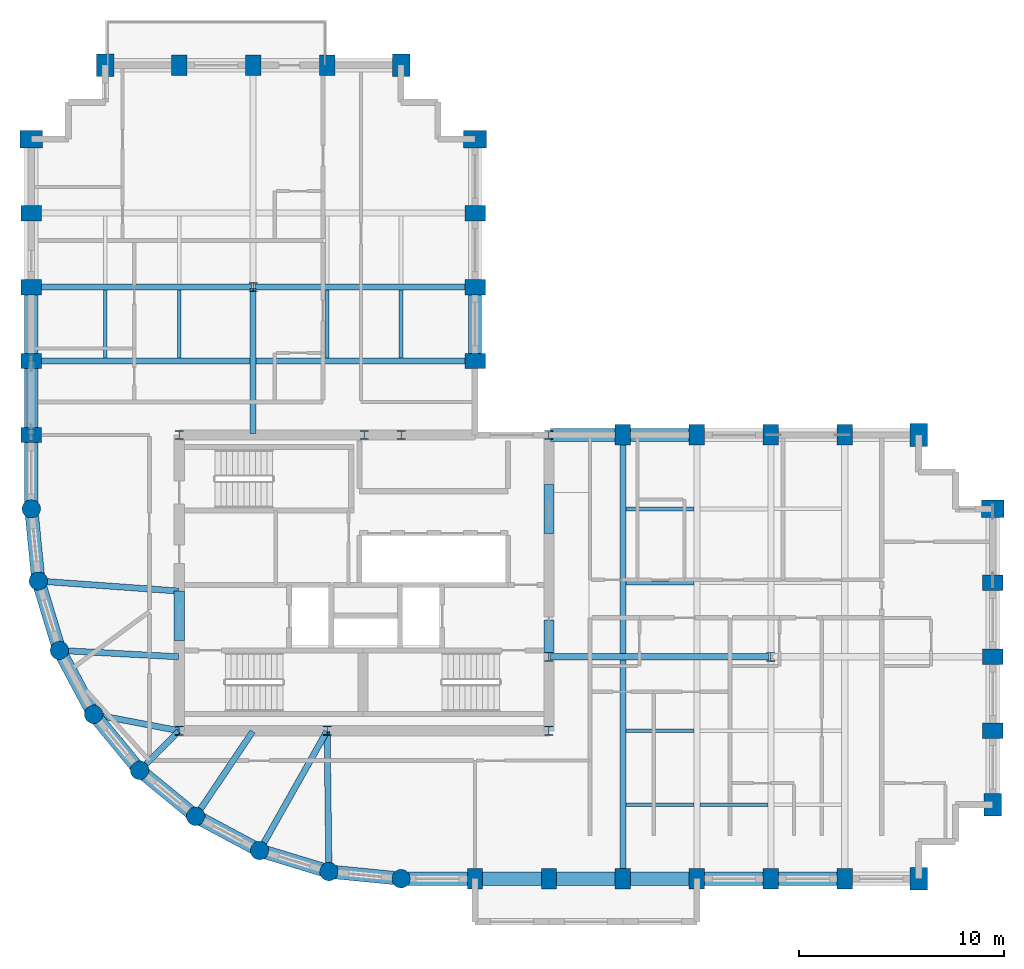
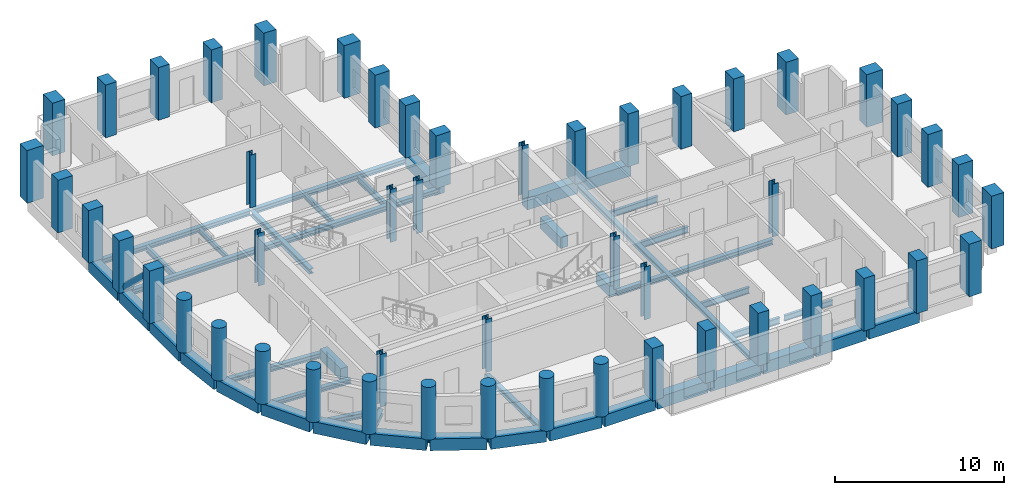
# One storey, part 1 of 9: 50 columns, 45 beams, 1 member.
"""IFC4 building model written with IfcOpenShell, lengths in metres."""

from ifc_helpers import new_model, si_unit, direction, frame, origin, origin_2d, place, context, subcontext, project, spatial, rectangle, circle, hollow_circle, i_section, extrude, material, material_profile, profile_set, type_object, element, save


model = new_model("IFC4")

# Units and contexts
model_context = context("Model", 3, precision=1e-05, world=origin(), true_north=direction((0.0, 1.0)))
body_context = subcontext(model_context, "Body", "Model", "MODEL_VIEW")
ifc_project = project(units=[si_unit("LENGTHUNIT", "METRE"), si_unit("AREAUNIT", "SQUARE_METRE"), si_unit("VOLUMEUNIT", "CUBIC_METRE"), si_unit("PLANEANGLEUNIT", "RADIAN"), si_unit("MASSUNIT", "GRAM", prefix="KILO")], contexts=[model_context])

# Site, building, storey
site_placement = place(None, origin())
site = spatial("IfcSite", under=ifc_project, at=site_placement, CompositionType="ELEMENT")
building_placement = place(site_placement, origin())
building = spatial("IfcBuilding", under=site, at=building_placement, Name="Solnavia Interchange Tower", CompositionType="ELEMENT")
storey_placement = place(building_placement, frame((0.0, 0.0, 131.39990234375)))
storey = spatial("IfcBuildingStorey", under=building, at=storey_placement, Name="L32", CompositionType="ELEMENT", Elevation=131.39990234375)

# Columns
ifc_material_1 = material(Name="Concrete C50/60", Category="concrete")
ifc_material_profile_1 = material_profile(ifc_material_1, rectangle(XDim=0.75, YDim=1.0, at=origin_2d()), Name="RC 1000x750")
ifc_profile_set_1 = profile_set([ifc_material_profile_1], Name="Concrete C50/60")
column_type_1 = type_object("IfcColumnType", Name="Col-RC-1000x750", PredefinedType="COLUMN", material=ifc_profile_set_1)
for number, where, z_axis, x_axis, name in (
    (1, (7.199951171875, 25.199951171875, 0.0), (0.0, 0.0, 1.0), (0.0, 1.0, 0.0), "COL-L32-02 Tower perim y column"),
    (2, (7.199951171875, 28.800048828125, 0.0), (0.0, 0.0, 1.0), (0.0, 1.0, 0.0), "COL-L32-03 Tower perim y column"),
    (3, (7.199951171875, 32.39990234375, 0.0), (0.0, 0.0, 1.0), (0.0, 1.0, 0.0), "COL-L32-04 Tower perim y column"),
    (4, (7.199951171875, 36.0, 0.0), (0.0, 0.0, 1.0), (0.0, 1.0, 0.0), "COL-L32-05 Tower perim y column"),
    (5, (14.39990234375, 43.199951171875, 0.0), (0.0, 0.0, 1.0), (1.0, 0.0, 0.0), "COL-L32-14 Tower perim x column"),
    (6, (18.0, 43.199951171875, 0.0), (0.0, 0.0, 1.0), (1.0, 0.0, 0.0), "COL-L32-17 Tower perim x column"),
    (7, (21.60009765625, 43.199951171875, 0.0), (0.0, 0.0, 1.0), (1.0, 0.0, 0.0), "COL-L32-20 Tower perim x column"),
    (8, (28.800048828125, 3.60009765625, 0.0), (0.0, 0.0, 1.0), (1.0, 0.0, 0.0), "COL-L32-26 Tower perim x column"),
    (9, (28.800048828125, 28.800048828125, 0.0), (0.0, 0.0, 1.0), (0.0, 1.0, 0.0), "COL-L32-27 Tower perim y column"),
    (10, (28.800048828125, 32.39990234375, 0.0), (0.0, 0.0, 1.0), (0.0, 1.0, 0.0), "COL-L32-28 Tower perim y column"),
    (11, (28.800048828125, 36.0, 0.0), (0.0, 0.0, 1.0), (0.0, 1.0, 0.0), "COL-L32-29 Tower perim y column"),
    (12, (32.39990234375, 3.60009765625, 0.0), (0.0, 0.0, 1.0), (1.0, 0.0, 0.0), "COL-L32-31 Tower perim x column"),
    (13, (36.0, 3.60009765625, 0.0), (0.0, 0.0, 1.0), (1.0, 0.0, 0.0), "COL-L32-35 Tower perim x column"),
    (14, (36.0, 25.199951171875, 0.0), (0.0, 0.0, 1.0), (1.0, 0.0, 0.0), "COL-L32-36 Tower perim x column"),
    (15, (39.60009765625, 3.60009765625, 0.0), (0.0, 0.0, 1.0), (1.0, 0.0, 0.0), "COL-L32-37 Tower perim x column"),
    (16, (39.60009765625, 25.199951171875, 0.0), (0.0, 0.0, 1.0), (1.0, 0.0, 0.0), "COL-L32-38 Tower perim x column"),
    (17, (43.199951171875, 3.60009765625, 0.0), (0.0, 0.0, 1.0), (1.0, 0.0, 0.0), "COL-L32-39 Tower perim x column"),
    (18, (43.199951171875, 25.199951171875, 0.0), (0.0, 0.0, 1.0), (1.0, 0.0, 0.0), "COL-L32-41 Tower perim x column"),
    (19, (46.800048828125, 3.60009765625, 0.0), (0.0, 0.0, 1.0), (1.0, 0.0, 0.0), "COL-L32-42 Tower perim x column"),
    (20, (46.800048828125, 25.199951171875, 0.0), (0.0, 0.0, 1.0), (1.0, 0.0, 0.0), "COL-L32-43 Tower perim x column"),
    (21, (54.0, 10.800048828125, 0.0), (0.0, 0.0, 1.0), (0.0, 1.0, 0.0), "COL-L32-47 Tower perim y column"),
    (22, (54.0, 14.39990234375, 0.0), (0.0, 0.0, 1.0), (0.0, 1.0, 0.0), "COL-L32-48 Tower perim y column"),
    (23, (54.0, 18.0, 0.0), (0.0, 0.0, 1.0), (0.0, 1.0, 0.0), "COL-L32-49 Tower perim y column"),
):
    element("IfcColumn", number, at=place(storey_placement, frame(where, z_axis=z_axis, x_axis=x_axis)), inside=storey, type_object=column_type_1, Name=name, PredefinedType="COLUMN", context=body_context, shape_type="SweptSolid", body=[
        extrude(rectangle(XDim=0.75, YDim=1.0, at=origin_2d()), origin(), (0.0, 0.0, 1.0), 3.800048828125),
    ])
ifc_material_profile_2 = material_profile(ifc_material_1, rectangle(XDim=0.85009765625, YDim=1.10009765625, at=origin_2d()), Name="RC 1100x850")
ifc_profile_set_2 = profile_set([ifc_material_profile_2], Name="Concrete C50/60")
column_type_2 = type_object("IfcColumnType", Name="Col-RC-1100x850", PredefinedType="COLUMN", material=ifc_profile_set_2)
for number, where, z_axis, x_axis, name in (
    (24, (7.199951171875, 39.60009765625, 0.0), (0.0, 0.0, 1.0), (0.0, 1.0, 0.0), "COL-L32-06 Tower corner column"),
    (25, (10.800048828125, 43.199951171875, 0.0), (0.0, 0.0, 1.0), (1.0, 0.0, 0.0), "COL-L32-10 Tower corner column"),
    (26, (25.199951171875, 43.199951171875, 0.0), (0.0, 0.0, 1.0), (1.0, 0.0, 0.0), "COL-L32-25 Tower corner column"),
    (27, (28.800048828125, 39.60009765625, 0.0), (0.0, 0.0, 1.0), (0.0, 1.0, 0.0), "COL-L32-30 Tower corner column"),
    (28, (50.39990234375, 3.60009765625, 0.0), (0.0, 0.0, 1.0), (1.0, 0.0, 0.0), "COL-L32-44 Tower corner column"),
    (29, (50.39990234375, 25.199951171875, 0.0), (0.0, 0.0, 1.0), (1.0, 0.0, 0.0), "COL-L32-45 Tower corner column"),
    (30, (54.0, 7.199951171875, 0.0), (0.0, 0.0, 1.0), (1.0, 0.0, 0.0), "COL-L32-46 Tower corner column"),
    (31, (54.0, 21.60009765625, 0.0), (0.0, 0.0, 1.0), (0.0, 1.0, 0.0), "COL-L32-50 Tower corner column"),
):
    element("IfcColumn", number, at=place(storey_placement, frame(where, z_axis=z_axis, x_axis=x_axis)), inside=storey, type_object=column_type_2, Name=name, PredefinedType="COLUMN", context=body_context, shape_type="SweptSolid", body=[
        extrude(rectangle(XDim=0.85009765625, YDim=1.10009765625, at=origin_2d()), origin(), (0.0, 0.0, 1.0), 3.800048828125),
    ])
ifc_material_profile_3 = material_profile(ifc_material_1, circle(Radius=0.449951171875, at=origin_2d()), Name="RC D900")
ifc_profile_set_3 = profile_set([ifc_material_profile_3], Name="Concrete C50/60")
column_type_3 = type_object("IfcColumnType", Name="Col-RC-D900", PredefinedType="COLUMN", material=ifc_profile_set_3)
for number, where, z_axis, x_axis, name in (
    (32, (7.199951171875, 21.60009765625, 0.0), (0.0, 0.0, 1.0), (1.0, 0.0, 0.0), "COL-L32-01 Tower drum column"),
    (33, (7.5458984375, 18.087890625, 0.0), (0.0, 0.0, 1.0), (1.0, 0.0, 0.0), "COL-L32-07 Tower drum column"),
    (34, (8.570068359375, 14.7119140625, 0.0), (0.0, 0.0, 1.0), (1.0, 0.0, 0.0), "COL-L32-08 Tower drum column"),
    (35, (10.23388671875, 11.60009765625, 0.0), (0.0, 0.0, 1.0), (1.0, 0.0, 0.0), "COL-L32-09 Tower drum column"),
    (36, (12.471923828125, 8.8720703125, 0.0), (0.0, 0.0, 1.0), (1.0, 0.0, 0.0), "COL-L32-11 Tower drum column"),
    (37, (15.199951171875, 6.634033203125, 0.0), (0.0, 0.0, 1.0), (1.0, 0.0, 0.0), "COL-L32-15 Tower drum column"),
    (38, (18.31201171875, 4.969970703125, 0.0), (0.0, 0.0, 1.0), (1.0, 0.0, 0.0), "COL-L32-18 Tower drum column"),
    (39, (21.68798828125, 3.946044921875, 0.0), (0.0, 0.0, 1.0), (1.0, 0.0, 0.0), "COL-L32-21 Tower drum column"),
    (40, (25.199951171875, 3.60009765625, 0.0), (0.0, 0.0, 1.0), (1.0, 0.0, 0.0), "COL-L32-23 Tower drum column"),
):
    element("IfcColumn", number, at=place(storey_placement, frame(where, z_axis=z_axis, x_axis=x_axis)), inside=storey, type_object=column_type_3, Name=name, PredefinedType="COLUMN", context=body_context, shape_type="SweptSolid", body=[
        extrude(circle(Radius=0.449951171875, at=origin_2d()), origin(), (0.0, 0.0, 1.0), 3.800048828125),
    ])
ifc_material_2 = material(Name="Steel S355", Category="steel")
ifc_material_profile_4 = material_profile(ifc_material_2, i_section(OverallWidth=0.416015625, OverallDepth=0.44189453125, WebThickness=0.02490234375, FlangeThickness=0.041015625, FilletRadius=0.014892578125, at=origin_2d()), Name="HD 400x382")
ifc_profile_set_4 = profile_set([ifc_material_profile_4], Name="Steel S355")
column_type_4 = type_object("IfcColumnType", Name="Col-Steel-HD400x382", PredefinedType="COLUMN", material=ifc_profile_set_4)
for number, where, z_axis, x_axis, name in (
    (41, (14.39990234375, 10.800048828125, 0.0), (0.0, 0.0, 1.0), (1.0, 0.0, 0.0), "COL-L32-12 Tower interior column"),
    (42, (14.39990234375, 25.199951171875, 0.0), (0.0, 0.0, 1.0), (1.0, 0.0, 0.0), "COL-L32-13 Tower interior column"),
    (43, (18.0, 32.39990234375, 0.0), (0.0, 0.0, 1.0), (1.0, 0.0, 0.0), "COL-L32-16 Tower interior column"),
    (44, (21.60009765625, 10.800048828125, 0.0), (0.0, 0.0, 1.0), (1.0, 0.0, 0.0), "COL-L32-19 Tower interior column"),
    (45, (23.39990234375, 25.199951171875, 0.0), (0.0, 0.0, 1.0), (1.0, 0.0, 0.0), "COL-L32-22 Tower interior column"),
    (46, (25.199951171875, 25.199951171875, 0.0), (0.0, 0.0, 1.0), (1.0, 0.0, 0.0), "COL-L32-24 Tower interior column"),
    (47, (32.39990234375, 10.800048828125, 0.0), (0.0, 0.0, 1.0), (1.0, 0.0, 0.0), "COL-L32-32 Tower interior column"),
    (48, (32.39990234375, 14.39990234375, 0.0), (0.0, 0.0, 1.0), (1.0, 0.0, 0.0), "COL-L32-33 Tower interior column"),
    (49, (32.39990234375, 25.199951171875, 0.0), (0.0, 0.0, 1.0), (1.0, 0.0, 0.0), "COL-L32-34 Tower interior column"),
    (50, (43.199951171875, 14.39990234375, 0.0), (0.0, 0.0, 1.0), (1.0, 0.0, 0.0), "COL-L32-40 Tower interior column"),
):
    element("IfcColumn", number, at=place(storey_placement, frame(where, z_axis=z_axis, x_axis=x_axis)), inside=storey, type_object=column_type_4, Name=name, PredefinedType="COLUMN", context=body_context, shape_type="SweptSolid", body=[
        extrude(i_section(OverallWidth=0.416015625, OverallDepth=0.44189453125, WebThickness=0.02490234375, FlangeThickness=0.041015625, FilletRadius=0.014892578125, at=origin_2d()), origin(), (0.0, 0.0, 1.0), 3.800048828125),
    ])

# Beams
ifc_material_profile_5 = material_profile(ifc_material_1, rectangle(XDim=0.5, YDim=0.800048828125, at=origin_2d()), Name="RC 500x800")
ifc_profile_set_5 = profile_set([ifc_material_profile_5], Name="Concrete C50/60")
beam_type_1 = type_object("IfcBeamType", Name="Beam-Coupling-RC500x800", PredefinedType="LINTEL", material=ifc_profile_set_5)
beam_1_placement = place(storey_placement, frame((14.39990234375, 15.199951171875, -0.39990234375), z_axis=(0.0, 1.0, 0.0), x_axis=(-1.0, 0.0, 0.0)))
element("IfcBeam", 51, at=beam_1_placement, inside=storey, type_object=beam_type_1, Name="CPB-L32-W1 Core coupling lintel beam", PredefinedType="LINTEL", context=body_context, shape_type="SweptSolid", body=[
    extrude(rectangle(XDim=0.5, YDim=0.800048828125, at=origin_2d()), origin(), (0.0, 0.0, 1.0), 2.400146484375),
])
beam_2_placement = place(storey_placement, frame((32.39990234375, 14.60009765625, -0.39990234375), z_axis=(0.0, 1.0, 0.0), x_axis=(-1.0, 0.0, 0.0)))
element("IfcBeam", 52, at=beam_2_placement, inside=storey, type_object=beam_type_1, Name="CPB-L32-E1 Core coupling lintel beam", PredefinedType="LINTEL", context=body_context, shape_type="SweptSolid", body=[
    extrude(rectangle(XDim=0.5, YDim=0.800048828125, at=origin_2d()), origin(), (0.0, 0.0, 1.0), 1.599853515625),
])
beam_3_placement = place(storey_placement, frame((32.39990234375, 20.39990234375, -0.39990234375), z_axis=(0.0, 1.0, 0.0), x_axis=(-1.0, 0.0, 0.0)))
element("IfcBeam", 53, at=beam_3_placement, inside=storey, type_object=beam_type_1, Name="CPB-L32-E2 Core coupling lintel beam", PredefinedType="LINTEL", context=body_context, shape_type="SweptSolid", body=[
    extrude(rectangle(XDim=0.5, YDim=0.800048828125, at=origin_2d()), origin(), (0.0, 0.0, 1.0), 2.400146484375),
])
ifc_material_3 = material(Name="Steel S460", Category="steel")
ifc_material_profile_6 = material_profile(ifc_material_3, i_section(OverallWidth=0.300048828125, OverallDepth=0.360107421875, WebThickness=0.012451171875, FlangeThickness=0.0224609375, FilletRadius=0.027099609375, at=origin_2d()), Name="HEB 360")
ifc_profile_set_6 = profile_set([ifc_material_profile_6], Name="Steel S460")
beam_type_2 = type_object("IfcBeamType", Name="Beam-Girder-HEB360", PredefinedType="BEAM", material=ifc_profile_set_6)
beam_4_placement = place(storey_placement, frame((32.47998046875, 14.39990234375, -0.429931640625), z_axis=(1.0, 0.0, 0.0), x_axis=(0.0, 1.0, 0.0)))
element("IfcBeam", 54, at=beam_4_placement, inside=storey, type_object=beam_type_2, Name="GRD-L32-ES01 East wing spine girder", PredefinedType="BEAM", context=body_context, shape_type="SweptSolid", body=[
    extrude(i_section(OverallWidth=0.300048828125, OverallDepth=0.360107421875, WebThickness=0.012451171875, FlangeThickness=0.0224609375, FilletRadius=0.027099609375, at=origin_2d()), origin(), (0.0, 0.0, 1.0), 10.64013671875),
])
beam_5_placement = place(storey_placement, frame((18.0, 25.280029296875, -0.429931640625), z_axis=(0.0, 1.0, 0.0), x_axis=(-1.0, 0.0, 0.0)))
element("IfcBeam", 55, at=beam_5_placement, inside=storey, type_object=beam_type_2, Name="GRD-L32-NS08 North wing spine girder", PredefinedType="BEAM", context=body_context, shape_type="SweptSolid", body=[
    extrude(i_section(OverallWidth=0.300048828125, OverallDepth=0.360107421875, WebThickness=0.012451171875, FlangeThickness=0.0224609375, FilletRadius=0.027099609375, at=origin_2d()), origin(), (0.0, 0.0, 1.0), 7.0400390625),
])
beam_6_placement = place(storey_placement, frame((7.280029296875, 28.800048828125, -0.429931640625), z_axis=(1.0, 0.0, 0.0), x_axis=(0.0, 1.0, 0.0)))
element("IfcBeam", 56, at=beam_6_placement, inside=storey, type_object=beam_type_2, Name="GRD-L32-NW10 North wing primary floor girder", PredefinedType="BEAM", context=body_context, shape_type="SweptSolid", body=[
    extrude(i_section(OverallWidth=0.300048828125, OverallDepth=0.360107421875, WebThickness=0.012451171875, FlangeThickness=0.0224609375, FilletRadius=0.027099609375, at=origin_2d()), origin(), (0.0, 0.0, 1.0), 21.43994140625),
])
beam_7_placement = place(storey_placement, frame((10.3125, 11.5849609375, -0.429931640625), z_axis=(0.982057527796, -0.188581579428, 0.0), x_axis=(0.188581579428, 0.982057527796, 0.0)))
element("IfcBeam", 57, at=beam_7_placement, inside=storey, type_object=beam_type_2, Name="GRD-L32-DR16 Drum radial floor girder", PredefinedType="BEAM", context=body_context, shape_type="SweptSolid", body=[
    extrude(i_section(OverallWidth=0.300048828125, OverallDepth=0.360107421875, WebThickness=0.012451171875, FlangeThickness=0.0224609375, FilletRadius=0.027099609375, at=origin_2d()), origin(), (0.0, 0.0, 1.0), 4.1220703125),
])
beam_8_placement = place(storey_placement, frame((18.351318359375, 5.039794921875, -0.429931640625), z_axis=(0.491243158486, 0.871022479182, 0.0), x_axis=(-0.871022479182, 0.491243158486, 0.0)))
element("IfcBeam", 58, at=beam_8_placement, inside=storey, type_object=beam_type_2, Name="GRD-L32-DR19 Drum radial floor girder", PredefinedType="BEAM", context=body_context, shape_type="SweptSolid", body=[
    extrude(i_section(OverallWidth=0.300048828125, OverallDepth=0.360107421875, WebThickness=0.012451171875, FlangeThickness=0.0224609375, FilletRadius=0.027099609375, at=origin_2d()), origin(), (0.0, 0.0, 1.0), 6.5732421875),
])
ifc_material_profile_7 = material_profile(ifc_material_2, i_section(OverallWidth=0.169921875, OverallDepth=0.360107421875, WebThickness=0.008056640625, FlangeThickness=0.0126953125, FilletRadius=0.01806640625, at=origin_2d()), Name="IPE 360")
ifc_profile_set_7 = profile_set([ifc_material_profile_7], Name="Steel S355")
beam_type_3 = type_object("IfcBeamType", Name="Beam-Joist-IPE360", PredefinedType="JOIST", material=ifc_profile_set_7)
beam_9_placement = place(storey_placement, frame((14.39990234375, 28.949951171875, -0.429931640625), z_axis=(0.0, 1.0, 0.0), x_axis=(-1.0, 0.0, 0.0)))
element("IfcBeam", 59, at=beam_9_placement, inside=storey, type_object=beam_type_3, Name="JST-L32-N15 North wing secondary joist", PredefinedType="JOIST", context=body_context, shape_type="SweptSolid", body=[
    extrude(i_section(OverallWidth=0.169921875, OverallDepth=0.360107421875, WebThickness=0.008056640625, FlangeThickness=0.0126953125, FilletRadius=0.01806640625, at=origin_2d()), origin(), (0.0, 0.0, 1.0), 3.300048828125),
])
ifc_material_profile_8 = material_profile(ifc_material_2, i_section(OverallWidth=0.179931640625, OverallDepth=0.39990234375, WebThickness=0.008544921875, FlangeThickness=0.013427734375, FilletRadius=0.02099609375, at=origin_2d()), Name="IPE 400")
ifc_profile_set_8 = profile_set([ifc_material_profile_8], Name="Steel S355")
beam_type_4 = type_object("IfcBeamType", Name="Beam-Joist-IPE400", PredefinedType="JOIST", material=ifc_profile_set_8)
for number, where, z_axis, x_axis, name in (
    (60, (39.75, 7.199951171875, -0.449951171875), (1.0, 0.0, 0.0), (0.0, 1.0, 0.0), "JST-L32-E02 East wing secondary joist"),
    (61, (21.60009765625, 28.949951171875, -0.449951171875), (0.0, 1.0, 0.0), (-1.0, 0.0, 0.0), "JST-L32-N17 North wing secondary joist"),
):
    element("IfcBeam", number, at=place(storey_placement, frame(where, z_axis=z_axis, x_axis=x_axis)), inside=storey, type_object=beam_type_4, Name=name, PredefinedType="JOIST", context=body_context, shape_type="SweptSolid", body=[
        extrude(i_section(OverallWidth=0.179931640625, OverallDepth=0.39990234375, WebThickness=0.008544921875, FlangeThickness=0.013427734375, FilletRadius=0.02099609375, at=origin_2d()), origin(), (0.0, 0.0, 1.0), 3.300048828125),
    ])
ifc_material_profile_9 = material_profile(ifc_material_2, i_section(OverallWidth=0.18994140625, OverallDepth=0.449951171875, WebThickness=0.009521484375, FlangeThickness=0.0146484375, FilletRadius=0.02099609375, at=origin_2d()), Name="IPE 450")
ifc_profile_set_9 = profile_set([ifc_material_profile_9], Name="Steel S355")
beam_type_5 = type_object("IfcBeamType", Name="Beam-Joist-IPE450", PredefinedType="JOIST", material=ifc_profile_set_9)
for number, where, z_axis, x_axis, name in (
    (62, (36.14990234375, 7.199951171875, -0.474853515625), (1.0, 0.0, 0.0), (0.0, 1.0, 0.0), "JST-L32-E01 East wing secondary joist"),
    (63, (36.14990234375, 10.800048828125, -0.474853515625), (1.0, 0.0, 0.0), (0.0, 1.0, 0.0), "JST-L32-E04 East wing secondary joist"),
    (64, (36.14990234375, 18.0, -0.474853515625), (1.0, 0.0, 0.0), (0.0, 1.0, 0.0), "JST-L32-E07 East wing secondary joist"),
    (65, (36.14990234375, 21.60009765625, -0.474853515625), (1.0, 0.0, 0.0), (0.0, 1.0, 0.0), "JST-L32-E10 East wing secondary joist"),
    (66, (10.800048828125, 28.949951171875, -0.474853515625), (0.0, 1.0, 0.0), (-1.0, 0.0, 0.0), "JST-L32-N13 North wing secondary joist"),
    (67, (25.199951171875, 28.949951171875, -0.474853515625), (0.0, 1.0, 0.0), (-1.0, 0.0, 0.0), "JST-L32-N19 North wing secondary joist"),
):
    element("IfcBeam", number, at=place(storey_placement, frame(where, z_axis=z_axis, x_axis=x_axis)), inside=storey, type_object=beam_type_5, Name=name, PredefinedType="JOIST", context=body_context, shape_type="SweptSolid", body=[
        extrude(i_section(OverallWidth=0.18994140625, OverallDepth=0.449951171875, WebThickness=0.009521484375, FlangeThickness=0.0146484375, FilletRadius=0.02099609375, at=origin_2d()), origin(), (0.0, 0.0, 1.0), 3.300048828125),
    ])
ifc_material_profile_10 = material_profile(ifc_material_2, i_section(OverallWidth=0.300048828125, OverallDepth=0.31005859375, WebThickness=0.009033203125, FlangeThickness=0.015380859375, FilletRadius=0.027099609375, at=origin_2d()), Name="HEA 320")
ifc_profile_set_10 = profile_set([ifc_material_profile_10], Name="Steel S355")
beam_type_6 = type_object("IfcBeamType", Name="Beam-Primary-HEA320", PredefinedType="BEAM", material=ifc_profile_set_10)
beam_10_placement = place(storey_placement, frame((36.0, 3.679931640625, -0.40478515625), z_axis=(0.0, 1.0, 0.0), x_axis=(-1.0, 0.0, 0.0)))
element("IfcBeam", 68, at=beam_10_placement, inside=storey, type_object=beam_type_6, Name="GRD-L32-EW03 East wing primary floor girder", PredefinedType="BEAM", context=body_context, shape_type="SweptSolid", body=[
    extrude(i_section(OverallWidth=0.300048828125, OverallDepth=0.31005859375, WebThickness=0.009033203125, FlangeThickness=0.015380859375, FilletRadius=0.027099609375, at=origin_2d()), origin(), (0.0, 0.0, 1.0), 21.440185546875),
])
beam_11_placement = place(storey_placement, frame((8.64990234375, 14.707763671875, -0.40478515625), z_axis=(0.998570371303, -0.053452909696, 0.0), x_axis=(0.053452909696, 0.998570371303, 0.0)))
element("IfcBeam", 69, at=beam_11_placement, inside=storey, type_object=beam_type_6, Name="GRD-L32-DR15 Drum radial floor girder", PredefinedType="BEAM", context=body_context, shape_type="SweptSolid", body=[
    extrude(i_section(OverallWidth=0.300048828125, OverallDepth=0.31005859375, WebThickness=0.009033203125, FlangeThickness=0.015380859375, FilletRadius=0.027099609375, at=origin_2d()), origin(), (0.0, 0.0, 1.0), 5.71826171875),
])
beam_12_placement = place(storey_placement, frame((15.24462890625, 6.700439453125, -0.40478515625), z_axis=(0.557835474219, 0.829951555033, 0.0), x_axis=(-0.829951555033, 0.557835474219, 0.0)))
element("IfcBeam", 70, at=beam_12_placement, inside=storey, type_object=beam_type_6, Name="GRD-L32-DR18 Drum radial floor girder", PredefinedType="BEAM", context=body_context, shape_type="SweptSolid", body=[
    extrude(i_section(OverallWidth=0.300048828125, OverallDepth=0.31005859375, WebThickness=0.009033203125, FlangeThickness=0.015380859375, FilletRadius=0.027099609375, at=origin_2d()), origin(), (0.0, 0.0, 1.0), 4.899658203125),
])
ifc_material_profile_11 = material_profile(ifc_material_2, i_section(OverallWidth=0.300048828125, OverallDepth=0.35009765625, WebThickness=0.010009765625, FlangeThickness=0.017578125, FilletRadius=0.027099609375, at=origin_2d()), Name="HEA 360")
ifc_profile_set_11 = profile_set([ifc_material_profile_11], Name="Steel S355")
beam_type_7 = type_object("IfcBeamType", Name="Beam-Primary-HEA360", PredefinedType="BEAM", material=ifc_profile_set_11)
for number, where, z_axis, x_axis, name in (
    (71, (7.280029296875, 32.39990234375, -0.4248046875), (1.0, 0.0, 0.0), (0.0, 1.0, 0.0), "GRD-L32-NW11 North wing primary floor girder"),
    (72, (18.080078125, 32.39990234375, -0.4248046875), (1.0, 0.0, 0.0), (0.0, 1.0, 0.0), "GRD-L32-NW12 North wing primary floor girder"),
):
    element("IfcBeam", number, at=place(storey_placement, frame(where, z_axis=z_axis, x_axis=x_axis)), inside=storey, type_object=beam_type_7, Name=name, PredefinedType="BEAM", context=body_context, shape_type="SweptSolid", body=[
        extrude(i_section(OverallWidth=0.300048828125, OverallDepth=0.35009765625, WebThickness=0.010009765625, FlangeThickness=0.017578125, FilletRadius=0.027099609375, at=origin_2d()), origin(), (0.0, 0.0, 1.0), 10.639892578125),
    ])
beam_13_placement = place(storey_placement, frame((7.625732421875, 18.082275390625, -0.4248046875), z_axis=(0.99747482749, -0.071020902015, 0.0), x_axis=(0.071020902015, 0.99747482749, 0.0)))
element("IfcBeam", 73, at=beam_13_placement, inside=storey, type_object=beam_type_7, Name="GRD-L32-DR14 Drum radial floor girder", PredefinedType="BEAM", context=body_context, shape_type="SweptSolid", body=[
    extrude(i_section(OverallWidth=0.300048828125, OverallDepth=0.35009765625, WebThickness=0.010009765625, FlangeThickness=0.017578125, FilletRadius=0.027099609375, at=origin_2d()), origin(), (0.0, 0.0, 1.0), 6.75146484375),
])
beam_14_placement = place(storey_placement, frame((12.528564453125, 8.9287109375, -0.4248046875), z_axis=(0.707106781187, 0.707106781187, 0.0), x_axis=(-0.707106781187, 0.707106781187, 0.0)))
element("IfcBeam", 74, at=beam_14_placement, inside=storey, type_object=beam_type_7, Name="GRD-L32-DR17 Drum radial floor girder", PredefinedType="BEAM", context=body_context, shape_type="SweptSolid", body=[
    extrude(i_section(OverallWidth=0.300048828125, OverallDepth=0.35009765625, WebThickness=0.010009765625, FlangeThickness=0.017578125, FilletRadius=0.027099609375, at=origin_2d()), origin(), (0.0, 0.0, 1.0), 2.6064453125),
])
beam_15_placement = place(storey_placement, frame((21.68701171875, 4.02587890625, -0.4248046875), z_axis=(-0.01283293513, 0.999917654498, 0.0), x_axis=(-0.999917654498, -0.01283293513, 0.0)))
element("IfcBeam", 75, at=beam_15_placement, inside=storey, type_object=beam_type_7, Name="GRD-L32-DR20 Drum radial floor girder", PredefinedType="BEAM", context=body_context, shape_type="SweptSolid", body=[
    extrude(i_section(OverallWidth=0.300048828125, OverallDepth=0.35009765625, WebThickness=0.010009765625, FlangeThickness=0.017578125, FilletRadius=0.027099609375, at=origin_2d()), origin(), (0.0, 0.0, 1.0), 6.734619140625),
])
ifc_material_profile_12 = material_profile(ifc_material_1, rectangle(XDim=0.64990234375, YDim=0.85009765625, at=origin_2d()), Name="RC 650x850")
ifc_profile_set_12 = profile_set([ifc_material_profile_12], Name="Concrete C50/60")
beam_type_8 = type_object("IfcBeamType", Name="Beam-Spandrel-RC650x850", PredefinedType="SPANDREL", material=ifc_profile_set_12)
beam_16_placement = place(storey_placement, frame((7.207763671875, 21.5205078125, -0.4248046875), z_axis=(0.098040038117, -0.995182471171, 0.0), x_axis=(0.995182471171, 0.098040038117, 0.0)))
element("IfcBeam", 76, at=beam_16_placement, inside=storey, type_object=beam_type_8, Name="SPB-L32-01 Framed-tube perimeter spandrel beam", PredefinedType="SPANDREL", context=body_context, shape_type="SweptSolid", body=[
    extrude(rectangle(XDim=0.64990234375, YDim=0.85009765625, at=origin_2d()), origin(), (0.0, 0.0, 1.0), 3.369140625),
])
beam_17_placement = place(storey_placement, frame((7.569091796875, 18.011474609375, -0.4248046875), z_axis=(0.290319223646, -0.956929855518, 0.0), x_axis=(0.956929855518, 0.290319223646, 0.0)))
element("IfcBeam", 77, at=beam_17_placement, inside=storey, type_object=beam_type_8, Name="SPB-L32-02 Framed-tube perimeter spandrel beam", PredefinedType="SPANDREL", context=body_context, shape_type="SweptSolid", body=[
    extrude(rectangle(XDim=0.64990234375, YDim=0.85009765625, at=origin_2d()), origin(), (0.0, 0.0, 1.0), 3.367919921875),
])
beam_18_placement = place(storey_placement, frame((8.607666015625, 14.6416015625, -0.4248046875), z_axis=(0.471509422952, -0.881861023102, 0.0), x_axis=(0.881861023102, 0.471509422952, 0.0)))
element("IfcBeam", 78, at=beam_18_placement, inside=storey, type_object=beam_type_8, Name="SPB-L32-03 Framed-tube perimeter spandrel beam", PredefinedType="SPANDREL", context=body_context, shape_type="SweptSolid", body=[
    extrude(rectangle(XDim=0.64990234375, YDim=0.85009765625, at=origin_2d()), origin(), (0.0, 0.0, 1.0), 3.369140625),
])
for number, where, z_axis, x_axis, name in (
    (79, (10.28466796875, 11.5380859375, -0.4248046875), (0.634298841675, -0.773087950656, 0.0), (0.773087950656, 0.634298841675, 0.0), "SPB-L32-04 Framed-tube perimeter spandrel beam"),
    (80, (12.53369140625, 8.8212890625, -0.4248046875), (0.773152644452, -0.634219984214, 0.0), (0.634219984214, 0.773152644452, 0.0), "SPB-L32-05 Framed-tube perimeter spandrel beam"),
):
    element("IfcBeam", number, at=place(storey_placement, frame(where, z_axis=z_axis, x_axis=x_axis)), inside=storey, type_object=beam_type_8, Name=name, PredefinedType="SPANDREL", context=body_context, shape_type="SweptSolid", body=[
        extrude(rectangle(XDim=0.64990234375, YDim=0.85009765625, at=origin_2d()), origin(), (0.0, 0.0, 1.0), 3.36865234375),
    ])
beam_19_placement = place(storey_placement, frame((15.2705078125, 6.59619140625, -0.4248046875), z_axis=(0.881875044348, -0.47148319817, 0.0), x_axis=(0.47148319817, 0.881875044348, 0.0)))
element("IfcBeam", 81, at=beam_19_placement, inside=storey, type_object=beam_type_8, Name="SPB-L32-06 Framed-tube perimeter spandrel beam", PredefinedType="SPANDREL", context=body_context, shape_type="SweptSolid", body=[
    extrude(rectangle(XDim=0.64990234375, YDim=0.85009765625, at=origin_2d()), origin(), (0.0, 0.0, 1.0), 3.368896484375),
])
beam_20_placement = place(storey_placement, frame((18.388671875, 4.94677734375, -0.4248046875), z_axis=(0.956943884494, -0.290272978297, 0.0), x_axis=(0.290272978297, 0.956943884494, 0.0)))
element("IfcBeam", 82, at=beam_20_placement, inside=storey, type_object=beam_type_8, Name="SPB-L32-07 Framed-tube perimeter spandrel beam", PredefinedType="SPANDREL", context=body_context, shape_type="SweptSolid", body=[
    extrude(rectangle(XDim=0.64990234375, YDim=0.85009765625, at=origin_2d()), origin(), (0.0, 0.0, 1.0), 3.36767578125),
])
beam_21_placement = place(storey_placement, frame((21.767578125, 3.938232421875, -0.4248046875), z_axis=(0.995181774609, -0.098047108501, 0.0), x_axis=(0.098047108501, 0.995181774609, 0.0)))
element("IfcBeam", 83, at=beam_21_placement, inside=storey, type_object=beam_type_8, Name="SPB-L32-08 Framed-tube perimeter spandrel beam", PredefinedType="SPANDREL", context=body_context, shape_type="SweptSolid", body=[
    extrude(rectangle(XDim=0.64990234375, YDim=0.85009765625, at=origin_2d()), origin(), (0.0, 0.0, 1.0), 3.368896484375),
])
beam_22_placement = place(storey_placement, frame((25.280029296875, 3.60009765625, -0.4248046875), z_axis=(1.0, 0.0, 0.0), x_axis=(0.0, 1.0, 0.0)))
element("IfcBeam", 84, at=beam_22_placement, inside=storey, type_object=beam_type_8, Name="SPB-L32-09 Framed-tube perimeter spandrel beam", PredefinedType="SPANDREL", context=body_context, shape_type="SweptSolid", body=[
    extrude(rectangle(XDim=0.64990234375, YDim=0.85009765625, at=origin_2d()), origin(), (0.0, 0.0, 1.0), 3.43994140625),
])
beam_23_placement = place(storey_placement, frame((28.8798828125, 3.60009765625, -0.4248046875), z_axis=(1.0, 0.0, 0.0), x_axis=(0.0, 1.0, 0.0)))
element("IfcBeam", 85, at=beam_23_placement, inside=storey, type_object=beam_type_8, Name="SPB-L32-10 Framed-tube perimeter spandrel beam", PredefinedType="SPANDREL", context=body_context, shape_type="SweptSolid", body=[
    extrude(rectangle(XDim=0.64990234375, YDim=0.85009765625, at=origin_2d()), origin(), (0.0, 0.0, 1.0), 3.440185546875),
])
for number, where, z_axis, x_axis, name in (
    (86, (32.47998046875, 3.60009765625, -0.4248046875), (1.0, 0.0, 0.0), (0.0, 1.0, 0.0), "SPB-L32-11 Framed-tube perimeter spandrel beam"),
    (87, (36.080078125, 3.60009765625, -0.4248046875), (1.0, 0.0, 0.0), (0.0, 1.0, 0.0), "SPB-L32-12 Framed-tube perimeter spandrel beam"),
):
    element("IfcBeam", number, at=place(storey_placement, frame(where, z_axis=z_axis, x_axis=x_axis)), inside=storey, type_object=beam_type_8, Name=name, PredefinedType="SPANDREL", context=body_context, shape_type="SweptSolid", body=[
        extrude(rectangle(XDim=0.64990234375, YDim=0.85009765625, at=origin_2d()), origin(), (0.0, 0.0, 1.0), 3.43994140625),
    ])
beam_24_placement = place(storey_placement, frame((39.679931640625, 3.60009765625, -0.4248046875), z_axis=(1.0, 0.0, 0.0), x_axis=(0.0, 1.0, 0.0)))
element("IfcBeam", 88, at=beam_24_placement, inside=storey, type_object=beam_type_8, Name="SPB-L32-13 Framed-tube perimeter spandrel beam", PredefinedType="SPANDREL", context=body_context, shape_type="SweptSolid", body=[
    extrude(rectangle(XDim=0.64990234375, YDim=0.85009765625, at=origin_2d()), origin(), (0.0, 0.0, 1.0), 3.440185546875),
])
for number, where, z_axis, x_axis, name in (
    (89, (43.280029296875, 3.60009765625, -0.4248046875), (1.0, 0.0, 0.0), (0.0, 1.0, 0.0), "SPB-L32-14 Framed-tube perimeter spandrel beam"),
    (90, (39.52001953125, 25.199951171875, -0.4248046875), (-1.0, 0.0, 0.0), (0.0, -1.0, 0.0), "SPB-L32-23 Framed-tube perimeter spandrel beam"),
    (91, (35.919921875, 25.199951171875, -0.4248046875), (-1.0, 0.0, 0.0), (0.0, -1.0, 0.0), "SPB-L32-24 Framed-tube perimeter spandrel beam"),
):
    element("IfcBeam", number, at=place(storey_placement, frame(where, z_axis=z_axis, x_axis=x_axis)), inside=storey, type_object=beam_type_8, Name=name, PredefinedType="SPANDREL", context=body_context, shape_type="SweptSolid", body=[
        extrude(rectangle(XDim=0.64990234375, YDim=0.85009765625, at=origin_2d()), origin(), (0.0, 0.0, 1.0), 3.43994140625),
    ])
for number, where, z_axis, x_axis, name in (
    (92, (28.800048828125, 28.8798828125, -0.4248046875), (0.0, 1.0, 0.0), (-1.0, 0.0, 0.0), "SPB-L32-25 Framed-tube perimeter spandrel beam"),
    (93, (7.199951171875, 32.320068359375, -0.4248046875), (0.0, -1.0, 0.0), (1.0, 0.0, 0.0), "SPB-L32-34 Framed-tube perimeter spandrel beam"),
):
    element("IfcBeam", number, at=place(storey_placement, frame(where, z_axis=z_axis, x_axis=x_axis)), inside=storey, type_object=beam_type_8, Name=name, PredefinedType="SPANDREL", context=body_context, shape_type="SweptSolid", body=[
        extrude(rectangle(XDim=0.64990234375, YDim=0.85009765625, at=origin_2d()), origin(), (0.0, 0.0, 1.0), 3.440185546875),
    ])
beam_25_placement = place(storey_placement, frame((7.199951171875, 28.719970703125, -0.4248046875), z_axis=(0.0, -1.0, 0.0), x_axis=(1.0, 0.0, 0.0)))
element("IfcBeam", 94, at=beam_25_placement, inside=storey, type_object=beam_type_8, Name="SPB-L32-35 Framed-tube perimeter spandrel beam", PredefinedType="SPANDREL", context=body_context, shape_type="SweptSolid", body=[
    extrude(rectangle(XDim=0.64990234375, YDim=0.85009765625, at=origin_2d()), origin(), (0.0, 0.0, 1.0), 3.43994140625),
])
beam_26_placement = place(storey_placement, frame((7.199951171875, 25.1201171875, -0.4248046875), z_axis=(0.0, -1.0, 0.0), x_axis=(1.0, 0.0, 0.0)))
element("IfcBeam", 95, at=beam_26_placement, inside=storey, type_object=beam_type_8, Name="SPB-L32-36 Framed-tube perimeter spandrel beam", PredefinedType="SPANDREL", context=body_context, shape_type="SweptSolid", body=[
    extrude(rectangle(XDim=0.64990234375, YDim=0.85009765625, at=origin_2d()), origin(), (0.0, 0.0, 1.0), 3.440185546875),
])

# Member
ifc_material_profile_13 = material_profile(ifc_material_3, hollow_circle(Radius=0.228515625, WallThickness=0.02001953125, at=origin_2d()), Name="CHS 457x20")
ifc_profile_set_13 = profile_set([ifc_material_profile_13], Name="Steel S460")
member_type = type_object("IfcMemberType", Name="Brace-Perim-CHS457", PredefinedType="BRACE", material=ifc_profile_set_13)
member_placement = place(storey_placement, frame((7.199951171875, 28.659912109375, 0.18017578125), z_axis=(0.0, -0.721071463745, 0.69286069608), x_axis=(1.0, 0.0, 0.0)))
element("IfcMember", 96, at=member_placement, inside=storey, type_object=member_type, Name="BRC-L32-01 Perimeter tube diagonal brace", PredefinedType="BRACE", context=body_context, shape_type="SweptSolid", body=[
    extrude(hollow_circle(Radius=0.228515625, WallThickness=0.02001953125, at=origin_2d()), origin(), (0.0, 0.0, 1.0), 4.60400390625),
])

save(model, "model.ifc")
